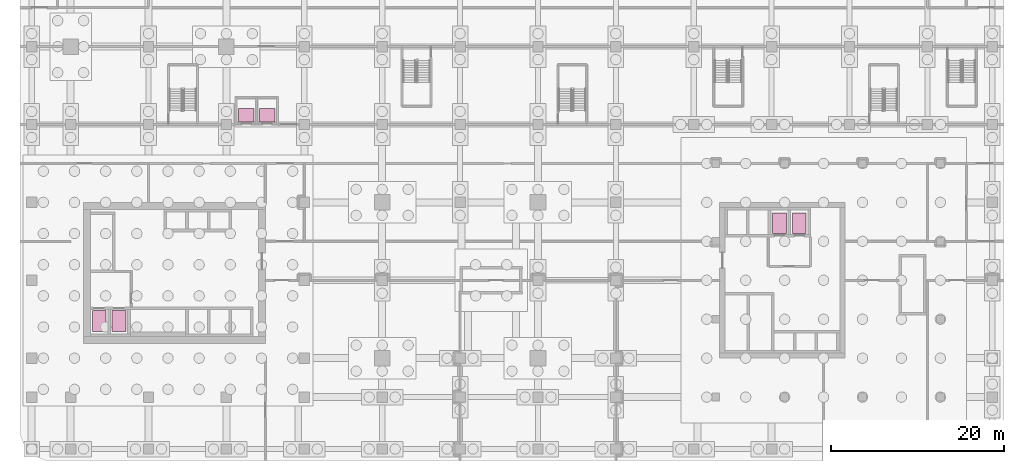
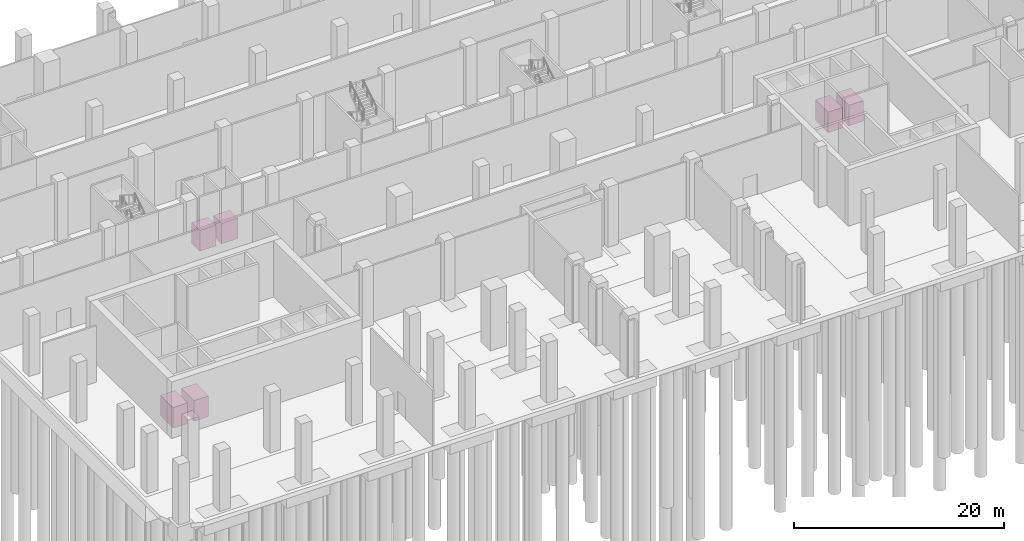
# One storey, part 23 of 23: 6 transport elements.
"""IFC4 building model written with IfcOpenShell, lengths in metres."""

from ifc_helpers import new_model, si_unit, direction, frame, origin, origin_2d, place, context, subcontext, project, spatial, rectangle, extrude, material, type_object, element, save


model = new_model("IFC4")

# Units and contexts
model_context = context("Model", 3, precision=1e-05, world=origin(), true_north=direction((0.0, 1.0)))
body_context = subcontext(model_context, "Body", "Model", "MODEL_VIEW")
ifc_project = project(units=[si_unit("LENGTHUNIT", "METRE"), si_unit("AREAUNIT", "SQUARE_METRE"), si_unit("VOLUMEUNIT", "CUBIC_METRE"), si_unit("PLANEANGLEUNIT", "RADIAN"), si_unit("MASSUNIT", "GRAM", prefix="KILO")], contexts=[model_context])

# Site, building, storey
site_placement = place(None, origin())
site = spatial("IfcSite", under=ifc_project, at=site_placement, CompositionType="ELEMENT")
building_placement = place(site_placement, origin())
building = spatial("IfcBuilding", under=site, at=building_placement, Name="Plateau Cross Towers", CompositionType="ELEMENT")
storey_placement = place(building_placement, frame((0.0, 0.0, -7.0)))
storey = spatial("IfcBuildingStorey", under=building, at=storey_placement, Name="B1", CompositionType="ELEMENT", Elevation=-7.0)

# Transport elements
ifc_material = material(Name="Stainless steel car", Category="steel")
transport_element_type_1 = type_object("IfcTransportElementType", Name="Firefighting and service lift 1600 kg", PredefinedType="ELEVATOR", material=ifc_material)
for number, where, z_axis, x_axis, name in (
    (1, (3.300048828125, 4.300048828125, 0.0), (0.0, 0.0, 1.0), (1.0, 0.0, 0.0), "Lift FL1"),
    (2, (5.60009765625, 4.300048828125, 0.0), (0.0, 0.0, 1.0), (1.0, 0.0, 0.0), "Lift FL2"),
    (3, (81.89990234375, 15.60009765625, 0.0), (0.0, 0.0, 1.0), (1.0, 0.0, 0.0), "Lift BF1"),
    (4, (84.199951171875, 15.60009765625, 0.0), (0.0, 0.0, 1.0), (1.0, 0.0, 0.0), "Lift BF2"),
):
    element("IfcTransportElement", number, at=place(storey_placement, frame(where, z_axis=z_axis, x_axis=x_axis)), inside=storey, type_object=transport_element_type_1, Name=name, PredefinedType="ELEVATOR", context=body_context, shape_type="SweptSolid", body=[
        extrude(rectangle(XDim=1.60009765625, YDim=2.39990234375, at=origin_2d()), origin(), (0.0, 0.0, 1.0), 2.39990234375),
    ])
transport_element_type_2 = type_object("IfcTransportElementType", Name="Passenger lift 1150 kg", PredefinedType="ELEVATOR", material=ifc_material)
for number, where, z_axis, x_axis, name in (
    (5, (20.300048828125, 28.074951171875, 0.0), (0.0, 0.0, 1.0), (1.0, 0.0, 0.0), "Lift SL1"),
    (6, (22.699951171875, 28.074951171875, 0.0), (0.0, 0.0, 1.0), (1.0, 0.0, 0.0), "Lift SL2"),
):
    element("IfcTransportElement", number, at=place(storey_placement, frame(where, z_axis=z_axis, x_axis=x_axis)), inside=storey, type_object=transport_element_type_2, Name=name, PredefinedType="ELEVATOR", context=body_context, shape_type="SweptSolid", body=[
        extrude(rectangle(XDim=1.800048828125, YDim=1.550048828125, at=origin_2d()), origin(), (0.0, 0.0, 1.0), 2.39990234375),
    ])

save(model, "model.ifc")
